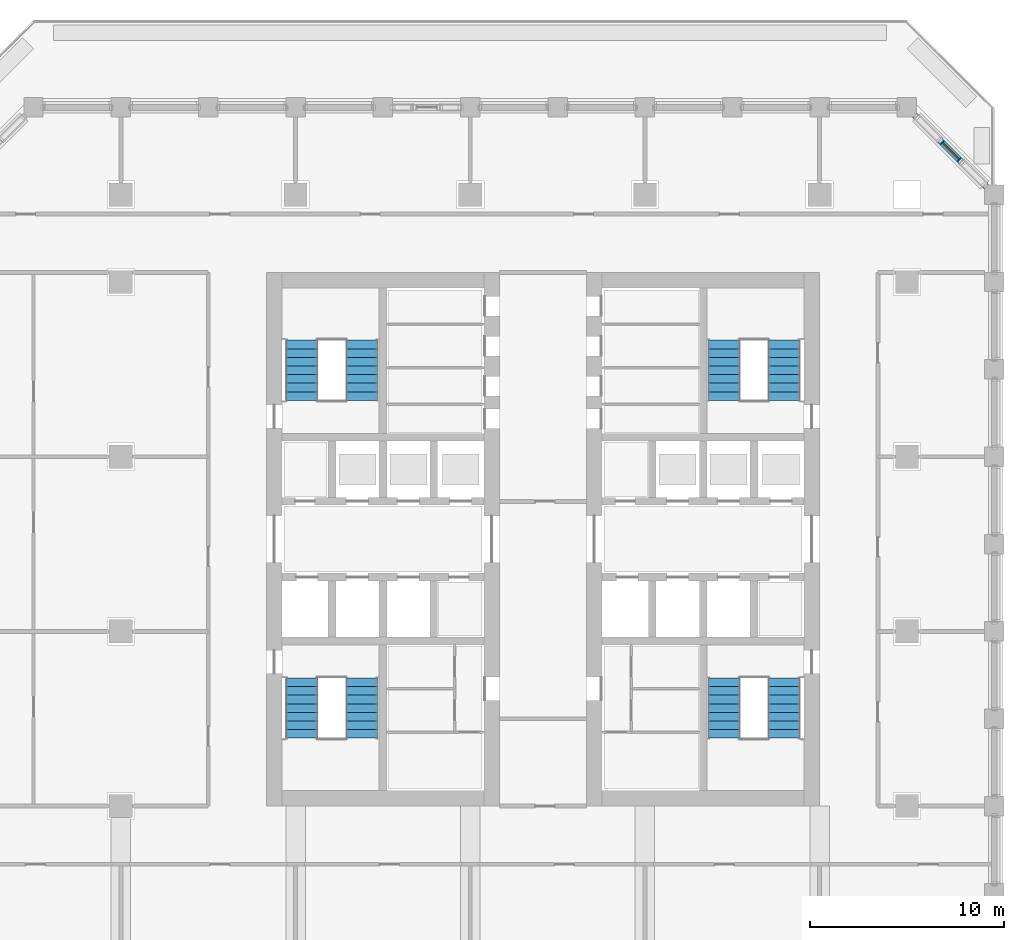
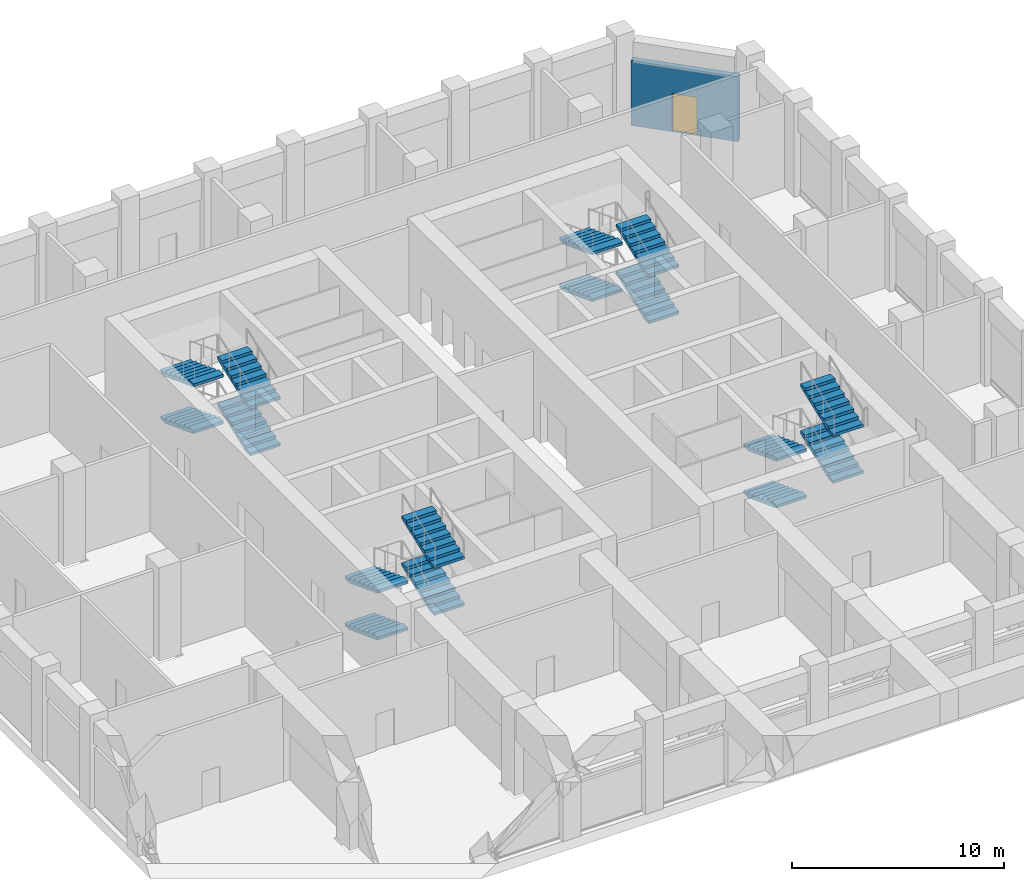
# One storey, part 7 of 20: 16 stair flights, 1 door, 1 wall, 1 opening, 4 elements without a shape of their own.
"""IFC4 building model written with IfcOpenShell, lengths in metres."""

from ifc_helpers import new_model, si_unit, direction, frame, frame_2d, origin, place, context, subcontext, project, spatial, polyline, rectangle, outline, extrude, material, layer, layer_set, type_object, element, fill, aggregate, save


model = new_model("IFC4")

# Units and contexts
model_context = context("Model", 3, precision=1e-05, world=origin(), true_north=direction((0.0, 1.0)))
body_context = subcontext(model_context, "Body", "Model", "MODEL_VIEW")
ifc_project = project(units=[si_unit("LENGTHUNIT", "METRE"), si_unit("AREAUNIT", "SQUARE_METRE"), si_unit("VOLUMEUNIT", "CUBIC_METRE"), si_unit("PLANEANGLEUNIT", "RADIAN"), si_unit("MASSUNIT", "GRAM", prefix="KILO")], contexts=[model_context])

# Site, building, storey
site_placement = place(None, origin())
site = spatial("IfcSite", under=ifc_project, at=site_placement, CompositionType="ELEMENT")
building_placement = place(site_placement, origin())
building = spatial("IfcBuilding", under=site, at=building_placement, Name="Corbel Stack Research Tower", CompositionType="ELEMENT")
storey_placement = place(building_placement, frame((0.0, 0.0, 151.39990234375)))
storey = spatial("IfcBuildingStorey", under=building, at=storey_placement, Name="L34", CompositionType="ELEMENT", Elevation=151.39990234375)

# Wall, opening, door
ifc_material_1 = material(Name="Concrete C45/55", Category="concrete")
ifc_layer = layer(ifc_material_1, 0.300048828125)
ifc_layer_set = layer_set([ifc_layer], Name="Concrete C45/55")
wall_type = type_object("IfcWallType", Name="Terracotta-faced concrete wall 300", PredefinedType="SOLIDWALL", material=ifc_layer_set)
wall_placement = place(storey_placement, frame((22.893798828125, 26.606201171875, 0.0), z_axis=(0.0, 0.0, 1.0), x_axis=(0.707106781187, -0.707106781187, 0.0)))
wall = element("IfcWall", 1, at=wall_placement, inside=storey, type_object=wall_type, Name="Facade wall L34 NE01", PredefinedType="SOLIDWALL", context=body_context, shape_type="SweptSolid", body=[
    extrude(rectangle(XDim=5.250244140625, YDim=0.300048828125, at=frame_2d((2.625, 0.0))), origin(), (0.0, 0.0, 1.0), 3.75),
])
opening_placement = place(wall_placement, frame((2.02490234375, 0.0, 0.0)))
opening = element("IfcOpeningElement", 2, at=opening_placement, cuts=wall, Name="Opening L34-B01", PredefinedType="OPENING", context=body_context, shape_type="SweptSolid", body=[
    extrude(rectangle(XDim=1.199951171875, YDim=2.199951171875, at=frame_2d((0.60009765625, 1.10009765625))), frame((0.0, 0.159912109375, 0.0), z_axis=(0.0, -1.0, 0.0), x_axis=(1.0, 0.0, 0.0)), (0.0, 0.0, 1.0), 0.320068359375),
])
ifc_material_2 = material(Name="Aluminium frame, clear double glazing", Category="aluminium")
door_type = type_object("IfcDoorType", Name="Balcony door BD2 1200 x 2200", OperationType="NOTDEFINED", PredefinedType="DOOR", material=ifc_material_2)
door_placement = place(opening_placement, origin())
door = element("IfcDoor", 3, at=door_placement, inside=storey, type_object=door_type, Name="Balcony door L34-B01", OperationType="SINGLE_SWING_LEFT", OverallHeight=2.199951171875, OverallWidth=1.199951171875, PredefinedType="DOOR", context=body_context, shape_type="SweptSolid", body=[
    extrude(rectangle(XDim=1.199951171875, YDim=2.199951171875, at=frame_2d((0.60009765625, 1.10009765625))), frame((0.0, 0.02490234375, 0.0), z_axis=(0.0, -1.0, 0.0), x_axis=(1.0, 0.0, 0.0)), (0.0, 0.0, 1.0), 0.050048828125),
])
fill(opening, door)

# Stair, stair flights
ifc_material_3 = material(Name="Concrete C40/50", Category="concrete")
stair_type = type_object("IfcStairType", Name="Exit stair 32 risers, 443 going", PredefinedType="HALF_TURN_STAIR", material=ifc_material_3)
stair_1_placement = place(storey_placement, origin())
stair_1 = element("IfcStair", 4, at=stair_1_placement, inside=storey, type_object=stair_type, Name="L34 Exit stair ST-W1", PredefinedType="HALF_TURN_STAIR")
ifc_material_4 = material(Name="Concrete C40/50", Category="concrete")
stair_flight_type = type_object("IfcStairFlightType", Name="Stair flight 8 risers, 443 going", PredefinedType="STRAIGHT", material=ifc_material_4)
stair_flight_1_placement = place(storey_placement, frame((-8.675048828125, -2.39990234375, 0.0), z_axis=(0.0, 0.0, 1.0), x_axis=(0.0, -1.0, 0.0)))
stair_flight_1 = element("IfcStairFlight", 5, at=stair_flight_1_placement, type_object=stair_flight_type, Name="ST-W1 flight 1", NumberOfRisers=8, NumberOfTreads=7, PredefinedType="STRAIGHT", RiserHeight=0.16875, TreadLength=0.443, context=body_context, shape_type="SweptSolid", body=[
    extrude(outline(polyline([(0.0, 0.0), (0.0, 0.168701171875), (0.443115234375, 0.168701171875), (0.443115234375, 0.33740234375), (0.885986328125, 0.33740234375), (0.885986328125, 0.50634765625), (1.3291015625, 0.50634765625), (1.3291015625, 0.675048828125), (1.77197265625, 0.675048828125), (1.77197265625, 0.84375), (2.215087890625, 0.84375), (2.215087890625, 1.012451171875), (2.657958984375, 1.012451171875), (2.657958984375, 1.18115234375), (3.10107421875, 1.18115234375), (3.10107421875, 1.35009765625), (3.10107421875, 1.020751953125), (0.421142578125, 0.0), (0.0, 0.0)])), frame((0.0, 0.824951171875, 0.0), z_axis=(0.0, -1.0, 0.0), x_axis=(1.0, 0.0, 0.0)), (0.0, 0.0, 1.0), 1.64990234375),
])
stair_flight_2_placement = place(storey_placement, frame((-5.574951171875, -5.5009765625, 1.35009765625), z_axis=(0.0, 0.0, 1.0), x_axis=(0.0, 1.0, 0.0)))
stair_flight_2 = element("IfcStairFlight", 6, at=stair_flight_2_placement, type_object=stair_flight_type, Name="ST-W1 flight 2", NumberOfRisers=8, NumberOfTreads=7, PredefinedType="STRAIGHT", RiserHeight=0.16875, TreadLength=0.443, context=body_context, shape_type="SweptSolid", body=[
    extrude(outline(polyline([(0.0, 0.0), (0.0, 0.168701171875), (0.443115234375, 0.168701171875), (0.443115234375, 0.33740234375), (0.885986328125, 0.33740234375), (0.885986328125, 0.50634765625), (1.3291015625, 0.50634765625), (1.3291015625, 0.675048828125), (1.77197265625, 0.675048828125), (1.77197265625, 0.84375), (2.215087890625, 0.84375), (2.215087890625, 1.012451171875), (2.657958984375, 1.012451171875), (2.657958984375, 1.18115234375), (3.10107421875, 1.18115234375), (3.10107421875, 1.35009765625), (3.10107421875, 1.020751953125), (0.421142578125, 0.0), (0.0, 0.0)])), frame((0.0, 0.824951171875, 0.0), z_axis=(0.0, -1.0, 0.0), x_axis=(1.0, 0.0, 0.0)), (0.0, 0.0, 1.0), 1.64990234375),
])
stair_flight_3_placement = place(storey_placement, frame((-8.675048828125, -2.39990234375, 2.7001953125), z_axis=(0.0, 0.0, 1.0), x_axis=(0.0, -1.0, 0.0)))
stair_flight_3 = element("IfcStairFlight", 7, at=stair_flight_3_placement, type_object=stair_flight_type, Name="ST-W1 flight 3", NumberOfRisers=8, NumberOfTreads=7, PredefinedType="STRAIGHT", RiserHeight=0.16875, TreadLength=0.443, context=body_context, shape_type="SweptSolid", body=[
    extrude(outline(polyline([(0.0, 0.0), (0.0, 0.168701171875), (0.443115234375, 0.168701171875), (0.443115234375, 0.33740234375), (0.885986328125, 0.33740234375), (0.885986328125, 0.50634765625), (1.3291015625, 0.50634765625), (1.3291015625, 0.675048828125), (1.77197265625, 0.675048828125), (1.77197265625, 0.84375), (2.215087890625, 0.84375), (2.215087890625, 1.012451171875), (2.657958984375, 1.012451171875), (2.657958984375, 1.18115234375), (3.10107421875, 1.18115234375), (3.10107421875, 1.35009765625), (3.10107421875, 1.020751953125), (0.421142578125, 0.0), (0.0, 0.0)])), frame((0.0, 0.824951171875, 0.0), z_axis=(0.0, -1.0, 0.0), x_axis=(1.0, 0.0, 0.0)), (0.0, 0.0, 1.0), 1.64990234375),
])
stair_flight_4_placement = place(storey_placement, frame((-5.574951171875, -5.5009765625, 4.050048828125), z_axis=(0.0, 0.0, 1.0), x_axis=(0.0, 1.0, 0.0)))
stair_flight_4 = element("IfcStairFlight", 8, at=stair_flight_4_placement, type_object=stair_flight_type, Name="ST-W1 flight 4", NumberOfRisers=8, NumberOfTreads=7, PredefinedType="STRAIGHT", RiserHeight=0.16875, TreadLength=0.443, context=body_context, shape_type="SweptSolid", body=[
    extrude(outline(polyline([(0.0, 0.0), (0.0, 0.168701171875), (0.443115234375, 0.168701171875), (0.443115234375, 0.33740234375), (0.885986328125, 0.33740234375), (0.885986328125, 0.50634765625), (1.3291015625, 0.50634765625), (1.3291015625, 0.675048828125), (1.77197265625, 0.675048828125), (1.77197265625, 0.84375), (2.215087890625, 0.84375), (2.215087890625, 1.012451171875), (2.657958984375, 1.012451171875), (2.657958984375, 1.18115234375), (3.10107421875, 1.18115234375), (3.10107421875, 1.35009765625), (3.10107421875, 1.020751953125), (0.421142578125, 0.0), (0.0, 0.0)])), frame((0.0, 0.824951171875, 0.0), z_axis=(0.0, -1.0, 0.0), x_axis=(1.0, 0.0, 0.0)), (0.0, 0.0, 1.0), 1.64990234375),
])
aggregate(stair_1, [stair_flight_1, stair_flight_2, stair_flight_3, stair_flight_4])

stair_2_placement = place(storey_placement, origin())
stair_2 = element("IfcStair", 9, at=stair_2_placement, inside=storey, type_object=stair_type, Name="L34 Exit stair ST-W2", PredefinedType="HALF_TURN_STAIR")
stair_flight_5_placement = place(storey_placement, frame((-5.574951171875, 11.89990234375, 0.0), z_axis=(0.0, 0.0, 1.0), x_axis=(0.0, 1.0, 0.0)))
stair_flight_5 = element("IfcStairFlight", 10, at=stair_flight_5_placement, type_object=stair_flight_type, Name="ST-W2 flight 1", NumberOfRisers=8, NumberOfTreads=7, PredefinedType="STRAIGHT", RiserHeight=0.16875, TreadLength=0.443, context=body_context, shape_type="SweptSolid", body=[
    extrude(outline(polyline([(0.0, 0.0), (0.0, 0.168701171875), (0.443115234375, 0.168701171875), (0.443115234375, 0.33740234375), (0.885986328125, 0.33740234375), (0.885986328125, 0.50634765625), (1.3291015625, 0.50634765625), (1.3291015625, 0.675048828125), (1.77197265625, 0.675048828125), (1.77197265625, 0.84375), (2.215087890625, 0.84375), (2.215087890625, 1.012451171875), (2.657958984375, 1.012451171875), (2.657958984375, 1.18115234375), (3.10107421875, 1.18115234375), (3.10107421875, 1.35009765625), (3.10107421875, 1.020751953125), (0.421142578125, 0.0), (0.0, 0.0)])), frame((0.0, 0.824951171875, 0.0), z_axis=(0.0, -1.0, 0.0), x_axis=(1.0, 0.0, 0.0)), (0.0, 0.0, 1.0), 1.64990234375),
])
stair_flight_6_placement = place(storey_placement, frame((-8.675048828125, 15.0009765625, 1.35009765625), z_axis=(0.0, 0.0, 1.0), x_axis=(0.0, -1.0, 0.0)))
stair_flight_6 = element("IfcStairFlight", 11, at=stair_flight_6_placement, type_object=stair_flight_type, Name="ST-W2 flight 2", NumberOfRisers=8, NumberOfTreads=7, PredefinedType="STRAIGHT", RiserHeight=0.16875, TreadLength=0.443, context=body_context, shape_type="SweptSolid", body=[
    extrude(outline(polyline([(0.0, 0.0), (0.0, 0.168701171875), (0.443115234375, 0.168701171875), (0.443115234375, 0.33740234375), (0.885986328125, 0.33740234375), (0.885986328125, 0.50634765625), (1.3291015625, 0.50634765625), (1.3291015625, 0.675048828125), (1.77197265625, 0.675048828125), (1.77197265625, 0.84375), (2.215087890625, 0.84375), (2.215087890625, 1.012451171875), (2.657958984375, 1.012451171875), (2.657958984375, 1.18115234375), (3.10107421875, 1.18115234375), (3.10107421875, 1.35009765625), (3.10107421875, 1.020751953125), (0.421142578125, 0.0), (0.0, 0.0)])), frame((0.0, 0.824951171875, 0.0), z_axis=(0.0, -1.0, 0.0), x_axis=(1.0, 0.0, 0.0)), (0.0, 0.0, 1.0), 1.64990234375),
])
stair_flight_7_placement = place(storey_placement, frame((-5.574951171875, 11.89990234375, 2.7001953125), z_axis=(0.0, 0.0, 1.0), x_axis=(0.0, 1.0, 0.0)))
stair_flight_7 = element("IfcStairFlight", 12, at=stair_flight_7_placement, type_object=stair_flight_type, Name="ST-W2 flight 3", NumberOfRisers=8, NumberOfTreads=7, PredefinedType="STRAIGHT", RiserHeight=0.16875, TreadLength=0.443, context=body_context, shape_type="SweptSolid", body=[
    extrude(outline(polyline([(0.0, 0.0), (0.0, 0.168701171875), (0.443115234375, 0.168701171875), (0.443115234375, 0.33740234375), (0.885986328125, 0.33740234375), (0.885986328125, 0.50634765625), (1.3291015625, 0.50634765625), (1.3291015625, 0.675048828125), (1.77197265625, 0.675048828125), (1.77197265625, 0.84375), (2.215087890625, 0.84375), (2.215087890625, 1.012451171875), (2.657958984375, 1.012451171875), (2.657958984375, 1.18115234375), (3.10107421875, 1.18115234375), (3.10107421875, 1.35009765625), (3.10107421875, 1.020751953125), (0.421142578125, 0.0), (0.0, 0.0)])), frame((0.0, 0.824951171875, 0.0), z_axis=(0.0, -1.0, 0.0), x_axis=(1.0, 0.0, 0.0)), (0.0, 0.0, 1.0), 1.64990234375),
])
stair_flight_8_placement = place(storey_placement, frame((-8.675048828125, 15.0009765625, 4.050048828125), z_axis=(0.0, 0.0, 1.0), x_axis=(0.0, -1.0, 0.0)))
stair_flight_8 = element("IfcStairFlight", 13, at=stair_flight_8_placement, type_object=stair_flight_type, Name="ST-W2 flight 4", NumberOfRisers=8, NumberOfTreads=7, PredefinedType="STRAIGHT", RiserHeight=0.16875, TreadLength=0.443, context=body_context, shape_type="SweptSolid", body=[
    extrude(outline(polyline([(0.0, 0.0), (0.0, 0.168701171875), (0.443115234375, 0.168701171875), (0.443115234375, 0.33740234375), (0.885986328125, 0.33740234375), (0.885986328125, 0.50634765625), (1.3291015625, 0.50634765625), (1.3291015625, 0.675048828125), (1.77197265625, 0.675048828125), (1.77197265625, 0.84375), (2.215087890625, 0.84375), (2.215087890625, 1.012451171875), (2.657958984375, 1.012451171875), (2.657958984375, 1.18115234375), (3.10107421875, 1.18115234375), (3.10107421875, 1.35009765625), (3.10107421875, 1.020751953125), (0.421142578125, 0.0), (0.0, 0.0)])), frame((0.0, 0.824951171875, 0.0), z_axis=(0.0, -1.0, 0.0), x_axis=(1.0, 0.0, 0.0)), (0.0, 0.0, 1.0), 1.64990234375),
])
aggregate(stair_2, [stair_flight_5, stair_flight_6, stair_flight_7, stair_flight_8])

stair_3_placement = place(storey_placement, origin())
stair_3 = element("IfcStair", 14, at=stair_3_placement, inside=storey, type_object=stair_type, Name="L34 Exit stair ST-E1", PredefinedType="HALF_TURN_STAIR")
stair_flight_9_placement = place(storey_placement, frame((13.074951171875, -2.39990234375, 0.0), z_axis=(0.0, 0.0, 1.0), x_axis=(0.0, -1.0, 0.0)))
stair_flight_9 = element("IfcStairFlight", 15, at=stair_flight_9_placement, type_object=stair_flight_type, Name="ST-E1 flight 1", NumberOfRisers=8, NumberOfTreads=7, PredefinedType="STRAIGHT", RiserHeight=0.16875, TreadLength=0.443, context=body_context, shape_type="SweptSolid", body=[
    extrude(outline(polyline([(0.0, 0.0), (0.0, 0.168701171875), (0.443115234375, 0.168701171875), (0.443115234375, 0.33740234375), (0.885986328125, 0.33740234375), (0.885986328125, 0.50634765625), (1.3291015625, 0.50634765625), (1.3291015625, 0.675048828125), (1.77197265625, 0.675048828125), (1.77197265625, 0.84375), (2.215087890625, 0.84375), (2.215087890625, 1.012451171875), (2.657958984375, 1.012451171875), (2.657958984375, 1.18115234375), (3.10107421875, 1.18115234375), (3.10107421875, 1.35009765625), (3.10107421875, 1.020751953125), (0.421142578125, 0.0), (0.0, 0.0)])), frame((0.0, 0.824951171875, 0.0), z_axis=(0.0, -1.0, 0.0), x_axis=(1.0, 0.0, 0.0)), (0.0, 0.0, 1.0), 1.64990234375),
])
stair_flight_10_placement = place(storey_placement, frame((16.175048828125, -5.5009765625, 1.35009765625), z_axis=(0.0, 0.0, 1.0), x_axis=(0.0, 1.0, 0.0)))
stair_flight_10 = element("IfcStairFlight", 16, at=stair_flight_10_placement, type_object=stair_flight_type, Name="ST-E1 flight 2", NumberOfRisers=8, NumberOfTreads=7, PredefinedType="STRAIGHT", RiserHeight=0.16875, TreadLength=0.443, context=body_context, shape_type="SweptSolid", body=[
    extrude(outline(polyline([(0.0, 0.0), (0.0, 0.168701171875), (0.443115234375, 0.168701171875), (0.443115234375, 0.33740234375), (0.885986328125, 0.33740234375), (0.885986328125, 0.50634765625), (1.3291015625, 0.50634765625), (1.3291015625, 0.675048828125), (1.77197265625, 0.675048828125), (1.77197265625, 0.84375), (2.215087890625, 0.84375), (2.215087890625, 1.012451171875), (2.657958984375, 1.012451171875), (2.657958984375, 1.18115234375), (3.10107421875, 1.18115234375), (3.10107421875, 1.35009765625), (3.10107421875, 1.020751953125), (0.421142578125, 0.0), (0.0, 0.0)])), frame((0.0, 0.824951171875, 0.0), z_axis=(0.0, -1.0, 0.0), x_axis=(1.0, 0.0, 0.0)), (0.0, 0.0, 1.0), 1.64990234375),
])
stair_flight_11_placement = place(storey_placement, frame((13.074951171875, -2.39990234375, 2.7001953125), z_axis=(0.0, 0.0, 1.0), x_axis=(0.0, -1.0, 0.0)))
stair_flight_11 = element("IfcStairFlight", 17, at=stair_flight_11_placement, type_object=stair_flight_type, Name="ST-E1 flight 3", NumberOfRisers=8, NumberOfTreads=7, PredefinedType="STRAIGHT", RiserHeight=0.16875, TreadLength=0.443, context=body_context, shape_type="SweptSolid", body=[
    extrude(outline(polyline([(0.0, 0.0), (0.0, 0.168701171875), (0.443115234375, 0.168701171875), (0.443115234375, 0.33740234375), (0.885986328125, 0.33740234375), (0.885986328125, 0.50634765625), (1.3291015625, 0.50634765625), (1.3291015625, 0.675048828125), (1.77197265625, 0.675048828125), (1.77197265625, 0.84375), (2.215087890625, 0.84375), (2.215087890625, 1.012451171875), (2.657958984375, 1.012451171875), (2.657958984375, 1.18115234375), (3.10107421875, 1.18115234375), (3.10107421875, 1.35009765625), (3.10107421875, 1.020751953125), (0.421142578125, 0.0), (0.0, 0.0)])), frame((0.0, 0.824951171875, 0.0), z_axis=(0.0, -1.0, 0.0), x_axis=(1.0, 0.0, 0.0)), (0.0, 0.0, 1.0), 1.64990234375),
])
stair_flight_12_placement = place(storey_placement, frame((16.175048828125, -5.5009765625, 4.050048828125), z_axis=(0.0, 0.0, 1.0), x_axis=(0.0, 1.0, 0.0)))
stair_flight_12 = element("IfcStairFlight", 18, at=stair_flight_12_placement, type_object=stair_flight_type, Name="ST-E1 flight 4", NumberOfRisers=8, NumberOfTreads=7, PredefinedType="STRAIGHT", RiserHeight=0.16875, TreadLength=0.443, context=body_context, shape_type="SweptSolid", body=[
    extrude(outline(polyline([(0.0, 0.0), (0.0, 0.168701171875), (0.443115234375, 0.168701171875), (0.443115234375, 0.33740234375), (0.885986328125, 0.33740234375), (0.885986328125, 0.50634765625), (1.3291015625, 0.50634765625), (1.3291015625, 0.675048828125), (1.77197265625, 0.675048828125), (1.77197265625, 0.84375), (2.215087890625, 0.84375), (2.215087890625, 1.012451171875), (2.657958984375, 1.012451171875), (2.657958984375, 1.18115234375), (3.10107421875, 1.18115234375), (3.10107421875, 1.35009765625), (3.10107421875, 1.020751953125), (0.421142578125, 0.0), (0.0, 0.0)])), frame((0.0, 0.824951171875, 0.0), z_axis=(0.0, -1.0, 0.0), x_axis=(1.0, 0.0, 0.0)), (0.0, 0.0, 1.0), 1.64990234375),
])
aggregate(stair_3, [stair_flight_9, stair_flight_10, stair_flight_11, stair_flight_12])

stair_4_placement = place(storey_placement, origin())
stair_4 = element("IfcStair", 19, at=stair_4_placement, inside=storey, type_object=stair_type, Name="L34 Exit stair ST-E2", PredefinedType="HALF_TURN_STAIR")
stair_flight_13_placement = place(storey_placement, frame((16.175048828125, 11.89990234375, 0.0), z_axis=(0.0, 0.0, 1.0), x_axis=(0.0, 1.0, 0.0)))
stair_flight_13 = element("IfcStairFlight", 20, at=stair_flight_13_placement, type_object=stair_flight_type, Name="ST-E2 flight 1", NumberOfRisers=8, NumberOfTreads=7, PredefinedType="STRAIGHT", RiserHeight=0.16875, TreadLength=0.443, context=body_context, shape_type="SweptSolid", body=[
    extrude(outline(polyline([(0.0, 0.0), (0.0, 0.168701171875), (0.443115234375, 0.168701171875), (0.443115234375, 0.33740234375), (0.885986328125, 0.33740234375), (0.885986328125, 0.50634765625), (1.3291015625, 0.50634765625), (1.3291015625, 0.675048828125), (1.77197265625, 0.675048828125), (1.77197265625, 0.84375), (2.215087890625, 0.84375), (2.215087890625, 1.012451171875), (2.657958984375, 1.012451171875), (2.657958984375, 1.18115234375), (3.10107421875, 1.18115234375), (3.10107421875, 1.35009765625), (3.10107421875, 1.020751953125), (0.421142578125, 0.0), (0.0, 0.0)])), frame((0.0, 0.824951171875, 0.0), z_axis=(0.0, -1.0, 0.0), x_axis=(1.0, 0.0, 0.0)), (0.0, 0.0, 1.0), 1.64990234375),
])
stair_flight_14_placement = place(storey_placement, frame((13.074951171875, 15.0009765625, 1.35009765625), z_axis=(0.0, 0.0, 1.0), x_axis=(0.0, -1.0, 0.0)))
stair_flight_14 = element("IfcStairFlight", 21, at=stair_flight_14_placement, type_object=stair_flight_type, Name="ST-E2 flight 2", NumberOfRisers=8, NumberOfTreads=7, PredefinedType="STRAIGHT", RiserHeight=0.16875, TreadLength=0.443, context=body_context, shape_type="SweptSolid", body=[
    extrude(outline(polyline([(0.0, 0.0), (0.0, 0.168701171875), (0.443115234375, 0.168701171875), (0.443115234375, 0.33740234375), (0.885986328125, 0.33740234375), (0.885986328125, 0.50634765625), (1.3291015625, 0.50634765625), (1.3291015625, 0.675048828125), (1.77197265625, 0.675048828125), (1.77197265625, 0.84375), (2.215087890625, 0.84375), (2.215087890625, 1.012451171875), (2.657958984375, 1.012451171875), (2.657958984375, 1.18115234375), (3.10107421875, 1.18115234375), (3.10107421875, 1.35009765625), (3.10107421875, 1.020751953125), (0.421142578125, 0.0), (0.0, 0.0)])), frame((0.0, 0.824951171875, 0.0), z_axis=(0.0, -1.0, 0.0), x_axis=(1.0, 0.0, 0.0)), (0.0, 0.0, 1.0), 1.64990234375),
])
stair_flight_15_placement = place(storey_placement, frame((16.175048828125, 11.89990234375, 2.7001953125), z_axis=(0.0, 0.0, 1.0), x_axis=(0.0, 1.0, 0.0)))
stair_flight_15 = element("IfcStairFlight", 22, at=stair_flight_15_placement, type_object=stair_flight_type, Name="ST-E2 flight 3", NumberOfRisers=8, NumberOfTreads=7, PredefinedType="STRAIGHT", RiserHeight=0.16875, TreadLength=0.443, context=body_context, shape_type="SweptSolid", body=[
    extrude(outline(polyline([(0.0, 0.0), (0.0, 0.168701171875), (0.443115234375, 0.168701171875), (0.443115234375, 0.33740234375), (0.885986328125, 0.33740234375), (0.885986328125, 0.50634765625), (1.3291015625, 0.50634765625), (1.3291015625, 0.675048828125), (1.77197265625, 0.675048828125), (1.77197265625, 0.84375), (2.215087890625, 0.84375), (2.215087890625, 1.012451171875), (2.657958984375, 1.012451171875), (2.657958984375, 1.18115234375), (3.10107421875, 1.18115234375), (3.10107421875, 1.35009765625), (3.10107421875, 1.020751953125), (0.421142578125, 0.0), (0.0, 0.0)])), frame((0.0, 0.824951171875, 0.0), z_axis=(0.0, -1.0, 0.0), x_axis=(1.0, 0.0, 0.0)), (0.0, 0.0, 1.0), 1.64990234375),
])
stair_flight_16_placement = place(storey_placement, frame((13.074951171875, 15.0009765625, 4.050048828125), z_axis=(0.0, 0.0, 1.0), x_axis=(0.0, -1.0, 0.0)))
stair_flight_16 = element("IfcStairFlight", 23, at=stair_flight_16_placement, type_object=stair_flight_type, Name="ST-E2 flight 4", NumberOfRisers=8, NumberOfTreads=7, PredefinedType="STRAIGHT", RiserHeight=0.16875, TreadLength=0.443, context=body_context, shape_type="SweptSolid", body=[
    extrude(outline(polyline([(0.0, 0.0), (0.0, 0.168701171875), (0.443115234375, 0.168701171875), (0.443115234375, 0.33740234375), (0.885986328125, 0.33740234375), (0.885986328125, 0.50634765625), (1.3291015625, 0.50634765625), (1.3291015625, 0.675048828125), (1.77197265625, 0.675048828125), (1.77197265625, 0.84375), (2.215087890625, 0.84375), (2.215087890625, 1.012451171875), (2.657958984375, 1.012451171875), (2.657958984375, 1.18115234375), (3.10107421875, 1.18115234375), (3.10107421875, 1.35009765625), (3.10107421875, 1.020751953125), (0.421142578125, 0.0), (0.0, 0.0)])), frame((0.0, 0.824951171875, 0.0), z_axis=(0.0, -1.0, 0.0), x_axis=(1.0, 0.0, 0.0)), (0.0, 0.0, 1.0), 1.64990234375),
])
aggregate(stair_4, [stair_flight_13, stair_flight_14, stair_flight_15, stair_flight_16])

save(model, "model.ifc")
